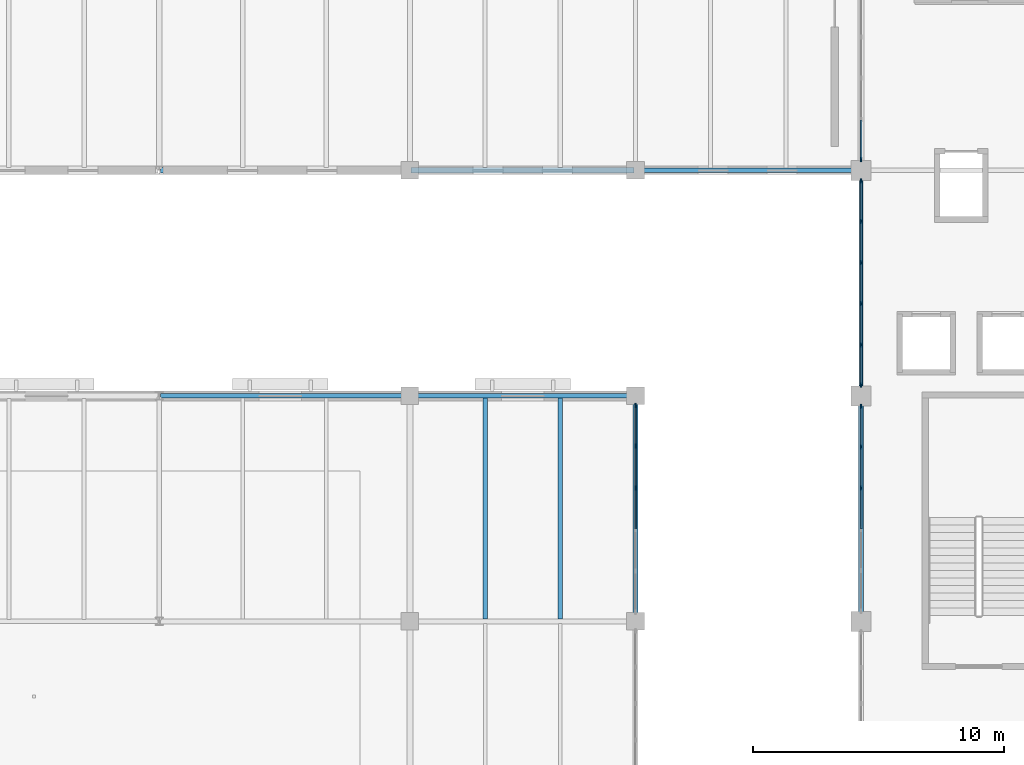
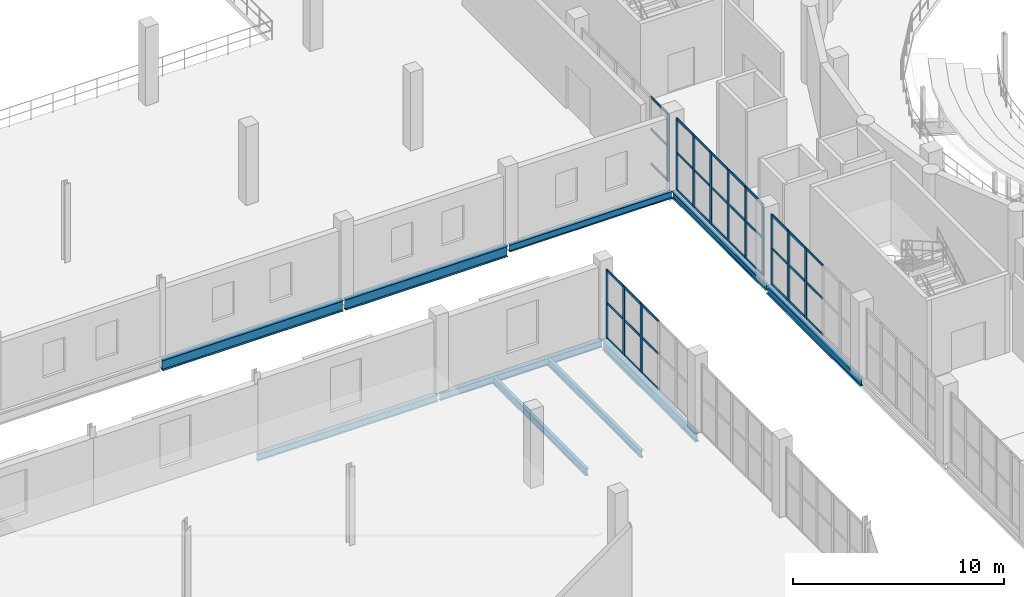
# One storey, part 29 of 93: 49 members, 10 beams, 4 elements without a shape of their own.
"""IFC4 building model written with IfcOpenShell, lengths in metres."""

from ifc_helpers import new_model, si_unit, direction, frame, origin, origin_2d, place, context, subcontext, project, spatial, rectangle, i_section, extrude, material, layer, layer_set, material_profile, profile_set, type_object, element, aggregate, save


model = new_model("IFC4")

# Units and contexts
model_context = context("Model", 3, precision=1e-05, world=origin(), true_north=direction((0.0, 1.0)))
body_context = subcontext(model_context, "Body", "Model", "MODEL_VIEW")
ifc_project = project(units=[si_unit("LENGTHUNIT", "METRE"), si_unit("AREAUNIT", "SQUARE_METRE"), si_unit("VOLUMEUNIT", "CUBIC_METRE"), si_unit("PLANEANGLEUNIT", "RADIAN"), si_unit("MASSUNIT", "GRAM", prefix="KILO")], contexts=[model_context])

# Site, building, storey
site_placement = place(None, origin())
site = spatial("IfcSite", under=ifc_project, at=site_placement, CompositionType="ELEMENT")
building_placement = place(site_placement, origin())
building = spatial("IfcBuilding", under=site, at=building_placement, Name="Marnock Terrace Opera House", CompositionType="ELEMENT")
storey_placement = place(building_placement, frame((0.0, 0.0, 5.39990234375)))
storey = spatial("IfcBuildingStorey", under=building, at=storey_placement, Name="L01", CompositionType="ELEMENT", Elevation=5.39990234375)

# Beams
ifc_material_1 = material(Name="Steel Grade 350 (AS/NZS 3679.1)", Category="steel")
ifc_material_profile_1 = material_profile(ifc_material_1, i_section(OverallWidth=0.1708984375, OverallDepth=0.355712890625, WebThickness=0.00732421875, FlangeThickness=0.011474609375, FilletRadius=0.011474609375, at=origin_2d()))
ifc_profile_set_1 = profile_set([ifc_material_profile_1], Name="Steel Grade 350 (AS/NZS 3679.1)")
beam_type_1 = type_object("IfcBeamType", Name="BM-GIRD-360", PredefinedType="BEAM", material=ifc_profile_set_1)
beam_1_placement = place(storey_placement, frame((55.0, 57.050048828125, -0.457763671875), z_axis=(0.0, 1.0, 0.0), x_axis=(-1.0, 0.0, 0.0)))
element("IfcBeam", 1, at=beam_1_placement, inside=storey, type_object=beam_type_1, Name="L01 girder (X=55.0, 57.0..66.0)", PredefinedType="BEAM", context=body_context, shape_type="SweptSolid", body=[
    extrude(i_section(OverallWidth=0.1708984375, OverallDepth=0.355712890625, WebThickness=0.00732421875, FlangeThickness=0.011474609375, FilletRadius=0.011474609375, at=origin_2d()), origin(), (0.0, 0.0, 1.0), 8.89990234375),
])
ifc_material_profile_2 = material_profile(ifc_material_1, i_section(OverallWidth=0.177978515625, OverallDepth=0.402587890625, WebThickness=0.007568359375, FlangeThickness=0.010986328125, FilletRadius=0.011474609375, at=origin_2d()))
ifc_profile_set_2 = profile_set([ifc_material_profile_2], Name="Steel Grade 350 (AS/NZS 3679.1)")
beam_type_2 = type_object("IfcBeamType", Name="BM-GIRD-410", PredefinedType="BEAM", material=ifc_profile_set_2)
beam_2_placement = place(storey_placement, frame((27.050048828125, 57.0, -0.481201171875), z_axis=(1.0, 0.0, 0.0), x_axis=(0.0, 1.0, 0.0)))
element("IfcBeam", 2, at=beam_2_placement, inside=storey, type_object=beam_type_2, Name="L01 girder (27.0..37.0, Y=57.0)", PredefinedType="BEAM", context=body_context, shape_type="SweptSolid", body=[
    extrude(i_section(OverallWidth=0.177978515625, OverallDepth=0.402587890625, WebThickness=0.007568359375, FlangeThickness=0.010986328125, FilletRadius=0.011474609375, at=origin_2d()), origin(), (0.0, 0.0, 1.0), 9.89990234375),
])
for number, where, z_axis, x_axis, name in (
    (3, (37.050048828125, 57.0, -0.481201171875), (1.0, 0.0, 0.0), (0.0, 1.0, 0.0), "L01 girder (37.0..46.0, Y=57.0)"),
    (4, (46.050048828125, 66.0, -0.481201171875), (1.0, 0.0, 0.0), (0.0, 1.0, 0.0), "L01 girder (46.0..55.0, Y=66.0)"),
):
    element("IfcBeam", number, at=place(storey_placement, frame(where, z_axis=z_axis, x_axis=x_axis)), inside=storey, type_object=beam_type_2, Name=name, PredefinedType="BEAM", context=body_context, shape_type="SweptSolid", body=[
        extrude(i_section(OverallWidth=0.177978515625, OverallDepth=0.402587890625, WebThickness=0.007568359375, FlangeThickness=0.010986328125, FilletRadius=0.011474609375, at=origin_2d()), origin(), (0.0, 0.0, 1.0), 8.89990234375),
    ])
ifc_material_profile_3 = material_profile(ifc_material_1, i_section(OverallWidth=0.18994140625, OverallDepth=0.45751953125, WebThickness=0.009033203125, FlangeThickness=0.014404296875, FilletRadius=0.011474609375, at=origin_2d()))
ifc_profile_set_3 = profile_set([ifc_material_profile_3], Name="Steel Grade 350 (AS/NZS 3679.1)")
beam_type_3 = type_object("IfcBeamType", Name="BM-GIRD-460B", PredefinedType="BEAM", material=ifc_profile_set_3)
beam_3_placement = place(storey_placement, frame((55.0, 48.050048828125, -0.508544921875), z_axis=(0.0, 1.0, 0.0), x_axis=(-1.0, 0.0, 0.0)))
element("IfcBeam", 5, at=beam_3_placement, inside=storey, type_object=beam_type_3, Name="L01 girder (X=55.0, 48.0..57.0)", PredefinedType="BEAM", context=body_context, shape_type="SweptSolid", body=[
    extrude(i_section(OverallWidth=0.18994140625, OverallDepth=0.45751953125, WebThickness=0.009033203125, FlangeThickness=0.014404296875, FilletRadius=0.011474609375, at=origin_2d()), origin(), (0.0, 0.0, 1.0), 8.89990234375),
])
ifc_material_profile_4 = material_profile(ifc_material_1, i_section(OverallWidth=0.208984375, OverallDepth=0.528076171875, WebThickness=0.009521484375, FlangeThickness=0.01318359375, FilletRadius=0.013916015625, at=origin_2d()))
ifc_profile_set_4 = profile_set([ifc_material_profile_4], Name="Steel Grade 350 (AS/NZS 3679.1)")
beam_type_4 = type_object("IfcBeamType", Name="BM-GIRD-530B", PredefinedType="BEAM", material=ifc_profile_set_4)
beam_4_placement = place(storey_placement, frame((46.0, 48.050048828125, -0.5439453125), z_axis=(0.0, 1.0, 0.0), x_axis=(-1.0, 0.0, 0.0)))
element("IfcBeam", 6, at=beam_4_placement, inside=storey, type_object=beam_type_4, Name="L01 girder (X=46.0, 48.0..57.0)", PredefinedType="BEAM", context=body_context, shape_type="SweptSolid", body=[
    extrude(i_section(OverallWidth=0.208984375, OverallDepth=0.528076171875, WebThickness=0.009521484375, FlangeThickness=0.01318359375, FilletRadius=0.013916015625, at=origin_2d()), origin(), (0.0, 0.0, 1.0), 8.89990234375),
])
ifc_material_profile_5 = material_profile(ifc_material_1, i_section(OverallWidth=0.22900390625, OverallDepth=0.611572265625, WebThickness=0.011962890625, FlangeThickness=0.01953125, FilletRadius=0.013916015625, at=origin_2d()))
ifc_profile_set_5 = profile_set([ifc_material_profile_5], Name="Steel Grade 350 (AS/NZS 3679.1)")
beam_type_5 = type_object("IfcBeamType", Name="BM-GIRD-610A", PredefinedType="BEAM", material=ifc_profile_set_5)
beam_5_placement = place(storey_placement, frame((27.050048828125, 66.0, -0.585693359375), z_axis=(1.0, 0.0, 0.0), x_axis=(0.0, 1.0, 0.0)))
element("IfcBeam", 7, at=beam_5_placement, inside=storey, type_object=beam_type_5, Name="L01 girder (27.0..37.0, Y=66.0)", PredefinedType="BEAM", context=body_context, shape_type="SweptSolid", body=[
    extrude(i_section(OverallWidth=0.22900390625, OverallDepth=0.611572265625, WebThickness=0.011962890625, FlangeThickness=0.01953125, FilletRadius=0.013916015625, at=origin_2d()), origin(), (0.0, 0.0, 1.0), 9.89990234375),
])
beam_6_placement = place(storey_placement, frame((37.050048828125, 66.0, -0.585693359375), z_axis=(1.0, 0.0, 0.0), x_axis=(0.0, 1.0, 0.0)))
element("IfcBeam", 8, at=beam_6_placement, inside=storey, type_object=beam_type_5, Name="L01 girder (37.0..46.0, Y=66.0)", PredefinedType="BEAM", context=body_context, shape_type="SweptSolid", body=[
    extrude(i_section(OverallWidth=0.22900390625, OverallDepth=0.611572265625, WebThickness=0.011962890625, FlangeThickness=0.01953125, FilletRadius=0.013916015625, at=origin_2d()), origin(), (0.0, 0.0, 1.0), 8.89990234375),
])
ifc_material_profile_6 = material_profile(ifc_material_1, i_section(OverallWidth=0.177978515625, OverallDepth=0.406494140625, WebThickness=0.0078125, FlangeThickness=0.0126953125, FilletRadius=0.011474609375, at=origin_2d()))
ifc_profile_set_6 = profile_set([ifc_material_profile_6], Name="Steel Grade 350 (AS/NZS 3679.1)")
beam_type_6 = type_object("IfcBeamType", Name="BM-JOIST-410", PredefinedType="JOIST", material=ifc_profile_set_6)
for number, where, z_axis, x_axis, name in (
    (9, (40.0, 48.090576171875, -0.483154296875), (0.0, 1.0, 0.0), (-1.0, 0.0, 0.0), "L01 secondary joist 4.6.1"),
    (10, (43.0, 48.090576171875, -0.483154296875), (0.0, 1.0, 0.0), (-1.0, 0.0, 0.0), "L01 secondary joist 4.6.2"),
):
    element("IfcBeam", number, at=place(storey_placement, frame(where, z_axis=z_axis, x_axis=x_axis)), inside=storey, type_object=beam_type_6, Name=name, PredefinedType="JOIST", context=body_context, shape_type="SweptSolid", body=[
        extrude(i_section(OverallWidth=0.177978515625, OverallDepth=0.406494140625, WebThickness=0.0078125, FlangeThickness=0.0126953125, FilletRadius=0.011474609375, at=origin_2d()), origin(), (0.0, 0.0, 1.0), 8.825439453125),
    ])

# Curtain wall, members
ifc_material_2 = material(Name="Anodised architectural bronze aluminium framing", Category="aluminium")
ifc_layer_1 = layer(ifc_material_2, 0.159912109375)
ifc_layer_set_1 = layer_set([ifc_layer_1], Name="Anodised architectural bronze aluminium framing")
curtain_wall_type_1 = type_object("IfcCurtainWallType", Name="CW-FOYER-90x45", PredefinedType="NOTDEFINED", material=ifc_layer_set_1)
curtain_wall_1_placement = place(storey_placement, origin())
curtain_wall_1 = element("IfcCurtainWall", 11, at=curtain_wall_1_placement, inside=storey, type_object=curtain_wall_type_1, Name="L01 glazed Beaux-Arts colonnade curtain wall CW-V1W-L01-06", PredefinedType="NOTDEFINED")
ifc_material_profile_7 = material_profile(ifc_material_2, rectangle(XDim=0.06494140625, YDim=0.179931640625, at=origin_2d()))
ifc_profile_set_7 = profile_set([ifc_material_profile_7], Name="Anodised architectural bronze aluminium framing")
member_type_1 = type_object("IfcMemberType", Name="CWM-65x180", PredefinedType="MULLION", material=ifc_profile_set_7)
member_1_placement = place(storey_placement, frame((55.0, 53.32080078125, 0.0), z_axis=(0.0, 0.0, 1.0), x_axis=(-1.0, 0.0, 0.0)))
member_1 = element("IfcMember", 12, at=member_1_placement, type_object=member_type_1, Name="CW-27 mullion 4", PredefinedType="MULLION", context=body_context, shape_type="SweptSolid", body=[
    extrude(rectangle(XDim=0.06494140625, YDim=0.179931640625, at=origin_2d()), origin(), (0.0, 0.0, 1.0), 4.052734375),
])
member_2_placement = place(storey_placement, frame((55.0, 54.96240234375, 0.0), z_axis=(0.0, 0.0, 1.0), x_axis=(-1.0, 0.0, 0.0)))
member_2 = element("IfcMember", 13, at=member_2_placement, type_object=member_type_1, Name="CW-27 mullion 5", PredefinedType="MULLION", context=body_context, shape_type="SweptSolid", body=[
    extrude(rectangle(XDim=0.06494140625, YDim=0.179931640625, at=origin_2d()), origin(), (0.0, 0.0, 1.0), 4.052734375),
])
member_3_placement = place(storey_placement, frame((55.0, 56.573974609375, 0.0), z_axis=(0.0, 0.0, 1.0), x_axis=(-1.0, 0.0, 0.0)))
member_3 = element("IfcMember", 14, at=member_3_placement, type_object=member_type_1, Name="CW-27 mullion 6", PredefinedType="MULLION", context=body_context, shape_type="SweptSolid", body=[
    extrude(rectangle(XDim=0.06494140625, YDim=0.179931640625, at=origin_2d()), origin(), (0.0, 0.0, 1.0), 4.052734375),
])

curtain_wall_2_placement = place(storey_placement, origin())
curtain_wall_2 = element("IfcCurtainWall", 15, at=curtain_wall_2_placement, inside=storey, type_object=curtain_wall_type_1, Name="L01 glazed Beaux-Arts colonnade curtain wall CW-V1W-L01-07", PredefinedType="NOTDEFINED")
member_4_placement = place(storey_placement, frame((55.0, 57.426025390625, 0.0), z_axis=(0.0, 0.0, 1.0), x_axis=(-1.0, 0.0, 0.0)))
member_4 = element("IfcMember", 16, at=member_4_placement, type_object=member_type_1, Name="CW-27 mullion 1", PredefinedType="MULLION", context=body_context, shape_type="SweptSolid", body=[
    extrude(rectangle(XDim=0.06494140625, YDim=0.179931640625, at=origin_2d()), origin(), (0.0, 0.0, 1.0), 4.154541015625),
])
member_5_placement = place(storey_placement, frame((55.0, 59.03759765625, 0.0), z_axis=(0.0, 0.0, 1.0), x_axis=(-1.0, 0.0, 0.0)))
member_5 = element("IfcMember", 17, at=member_5_placement, type_object=member_type_1, Name="CW-27 mullion 2", PredefinedType="MULLION", context=body_context, shape_type="SweptSolid", body=[
    extrude(rectangle(XDim=0.06494140625, YDim=0.179931640625, at=origin_2d()), origin(), (0.0, 0.0, 1.0), 4.154541015625),
])
member_6_placement = place(storey_placement, frame((55.0, 60.67919921875, 0.0), z_axis=(0.0, 0.0, 1.0), x_axis=(-1.0, 0.0, 0.0)))
member_6 = element("IfcMember", 18, at=member_6_placement, type_object=member_type_1, Name="CW-27 mullion 3", PredefinedType="MULLION", context=body_context, shape_type="SweptSolid", body=[
    extrude(rectangle(XDim=0.06494140625, YDim=0.179931640625, at=origin_2d()), origin(), (0.0, 0.0, 1.0), 4.154541015625),
])
member_7_placement = place(storey_placement, frame((55.0, 62.32080078125, 0.0), z_axis=(0.0, 0.0, 1.0), x_axis=(-1.0, 0.0, 0.0)))
member_7 = element("IfcMember", 19, at=member_7_placement, type_object=member_type_1, Name="CW-27 mullion 4", PredefinedType="MULLION", context=body_context, shape_type="SweptSolid", body=[
    extrude(rectangle(XDim=0.06494140625, YDim=0.179931640625, at=origin_2d()), origin(), (0.0, 0.0, 1.0), 4.154541015625),
])
member_8_placement = place(storey_placement, frame((55.0, 63.96240234375, 0.0), z_axis=(0.0, 0.0, 1.0), x_axis=(-1.0, 0.0, 0.0)))
member_8 = element("IfcMember", 20, at=member_8_placement, type_object=member_type_1, Name="CW-27 mullion 5", PredefinedType="MULLION", context=body_context, shape_type="SweptSolid", body=[
    extrude(rectangle(XDim=0.06494140625, YDim=0.179931640625, at=origin_2d()), origin(), (0.0, 0.0, 1.0), 4.154541015625),
])
member_9_placement = place(storey_placement, frame((55.0, 65.573974609375, 0.0), z_axis=(0.0, 0.0, 1.0), x_axis=(-1.0, 0.0, 0.0)))
member_9 = element("IfcMember", 21, at=member_9_placement, type_object=member_type_1, Name="CW-27 mullion 6", PredefinedType="MULLION", context=body_context, shape_type="SweptSolid", body=[
    extrude(rectangle(XDim=0.06494140625, YDim=0.179931640625, at=origin_2d()), origin(), (0.0, 0.0, 1.0), 4.154541015625),
])

# Curtain wall, member
curtain_wall_3_placement = place(storey_placement, origin())
curtain_wall_3 = element("IfcCurtainWall", 22, at=curtain_wall_3_placement, inside=storey, type_object=curtain_wall_type_1, Name="L01 glazed Beaux-Arts colonnade curtain wall CW-V1W-L01-08", PredefinedType="NOTDEFINED")
member_10_placement = place(storey_placement, frame((55.0, 66.426025390625, 0.0), z_axis=(0.0, 0.0, 1.0), x_axis=(-1.0, 0.0, 0.0)))
member_10 = element("IfcMember", 23, at=member_10_placement, type_object=member_type_1, Name="CW-27 mullion 1", PredefinedType="MULLION", context=body_context, shape_type="SweptSolid", body=[
    extrude(rectangle(XDim=0.06494140625, YDim=0.179931640625, at=origin_2d()), origin(), (0.0, 0.0, 1.0), 3.908203125),
])

# Curtain wall, members
ifc_layer_2 = layer(ifc_material_2, 0.159912109375)
ifc_layer_set_2 = layer_set([ifc_layer_2], Name="Anodised architectural bronze aluminium framing")
curtain_wall_type_2 = type_object("IfcCurtainWallType", Name="CW-COURT-80x45", PredefinedType="NOTDEFINED", material=ifc_layer_set_2)
curtain_wall_4_placement = place(storey_placement, origin())
curtain_wall_4 = element("IfcCurtainWall", 24, at=curtain_wall_4_placement, inside=storey, type_object=curtain_wall_type_2, Name="L01 glazed Beaux-Arts colonnade curtain wall CW-V3E-L01-06", PredefinedType="NOTDEFINED")
member_11_placement = place(storey_placement, frame((46.0, 53.330810546875, 0.0), z_axis=(0.0, 0.0, 1.0), x_axis=(-1.0, 0.0, 0.0)))
member_11 = element("IfcMember", 25, at=member_11_placement, type_object=member_type_1, Name="CW-67 mullion 4", PredefinedType="MULLION", context=body_context, shape_type="SweptSolid", body=[
    extrude(rectangle(XDim=0.06494140625, YDim=0.179931640625, at=origin_2d()), origin(), (0.0, 0.0, 1.0), 3.982177734375),
])
member_12_placement = place(storey_placement, frame((46.0, 54.992431640625, 0.0), z_axis=(0.0, 0.0, 1.0), x_axis=(-1.0, 0.0, 0.0)))
member_12 = element("IfcMember", 26, at=member_12_placement, type_object=member_type_1, Name="CW-67 mullion 5", PredefinedType="MULLION", context=body_context, shape_type="SweptSolid", body=[
    extrude(rectangle(XDim=0.06494140625, YDim=0.179931640625, at=origin_2d()), origin(), (0.0, 0.0, 1.0), 3.982177734375),
])
member_13_placement = place(storey_placement, frame((46.0, 56.6240234375, 0.0), z_axis=(0.0, 0.0, 1.0), x_axis=(-1.0, 0.0, 0.0)))
member_13 = element("IfcMember", 27, at=member_13_placement, type_object=member_type_1, Name="CW-67 mullion 6", PredefinedType="MULLION", context=body_context, shape_type="SweptSolid", body=[
    extrude(rectangle(XDim=0.06494140625, YDim=0.179931640625, at=origin_2d()), origin(), (0.0, 0.0, 1.0), 3.982177734375),
])

# Member
ifc_material_profile_8 = material_profile(ifc_material_2, rectangle(XDim=0.06005859375, YDim=0.1298828125, at=origin_2d()))
ifc_profile_set_8 = profile_set([ifc_material_profile_8], Name="Anodised architectural bronze aluminium framing")
member_type_2 = type_object("IfcMemberType", Name="CWT-60x130", PredefinedType="USERDEFINED", material=ifc_profile_set_8)
member_14_placement = place(storey_placement, frame((55.0, 51.709228515625, 0.030029296875), z_axis=(0.0, 1.0, 0.0), x_axis=(-1.0, 0.0, 0.0)))
member_14 = element("IfcMember", 28, at=member_14_placement, type_object=member_type_2, Name="CW-27 transom 3.1", ObjectType="TRANSOM", PredefinedType="USERDEFINED", context=body_context, shape_type="SweptSolid", body=[
    extrude(rectangle(XDim=0.06005859375, YDim=0.1298828125, at=origin_2d()), origin(), (0.0, 0.0, 1.0), 1.58154296875),
])

member_15_placement = place(storey_placement, frame((55.0, 51.709228515625, 2.107421875), z_axis=(0.0, 1.0, 0.0), x_axis=(-1.0, 0.0, 0.0)))
member_15 = element("IfcMember", 29, at=member_15_placement, type_object=member_type_2, Name="CW-27 transom 3.2", ObjectType="TRANSOM", PredefinedType="USERDEFINED", context=body_context, shape_type="SweptSolid", body=[
    extrude(rectangle(XDim=0.06005859375, YDim=0.1298828125, at=origin_2d()), origin(), (0.0, 0.0, 1.0), 1.58154296875),
])

member_16_placement = place(storey_placement, frame((55.0, 51.709228515625, 4.022705078125), z_axis=(0.0, 1.0, 0.0), x_axis=(-1.0, 0.0, 0.0)))
member_16 = element("IfcMember", 30, at=member_16_placement, type_object=member_type_2, Name="CW-27 transom 3.3", ObjectType="TRANSOM", PredefinedType="USERDEFINED", context=body_context, shape_type="SweptSolid", body=[
    extrude(rectangle(XDim=0.06005859375, YDim=0.1298828125, at=origin_2d()), origin(), (0.0, 0.0, 1.0), 1.58154296875),
])

member_17_placement = place(storey_placement, frame((55.0, 53.350830078125, 0.030029296875), z_axis=(0.0, 1.0, 0.0), x_axis=(-1.0, 0.0, 0.0)))
member_17 = element("IfcMember", 31, at=member_17_placement, type_object=member_type_2, Name="CW-27 transom 4.1", ObjectType="TRANSOM", PredefinedType="USERDEFINED", context=body_context, shape_type="SweptSolid", body=[
    extrude(rectangle(XDim=0.06005859375, YDim=0.1298828125, at=origin_2d()), origin(), (0.0, 0.0, 1.0), 1.58154296875),
])

member_18_placement = place(storey_placement, frame((55.0, 53.350830078125, 2.107421875), z_axis=(0.0, 1.0, 0.0), x_axis=(-1.0, 0.0, 0.0)))
member_18 = element("IfcMember", 32, at=member_18_placement, type_object=member_type_2, Name="CW-27 transom 4.2", ObjectType="TRANSOM", PredefinedType="USERDEFINED", context=body_context, shape_type="SweptSolid", body=[
    extrude(rectangle(XDim=0.06005859375, YDim=0.1298828125, at=origin_2d()), origin(), (0.0, 0.0, 1.0), 1.58154296875),
])

member_19_placement = place(storey_placement, frame((55.0, 53.350830078125, 4.022705078125), z_axis=(0.0, 1.0, 0.0), x_axis=(-1.0, 0.0, 0.0)))
member_19 = element("IfcMember", 33, at=member_19_placement, type_object=member_type_2, Name="CW-27 transom 4.3", ObjectType="TRANSOM", PredefinedType="USERDEFINED", context=body_context, shape_type="SweptSolid", body=[
    extrude(rectangle(XDim=0.06005859375, YDim=0.1298828125, at=origin_2d()), origin(), (0.0, 0.0, 1.0), 1.58154296875),
])

member_20_placement = place(storey_placement, frame((55.0, 54.992431640625, 0.030029296875), z_axis=(0.0, 1.0, 0.0), x_axis=(-1.0, 0.0, 0.0)))
member_20 = element("IfcMember", 34, at=member_20_placement, type_object=member_type_2, Name="CW-27 transom 5.1", ObjectType="TRANSOM", PredefinedType="USERDEFINED", context=body_context, shape_type="SweptSolid", body=[
    extrude(rectangle(XDim=0.06005859375, YDim=0.1298828125, at=origin_2d()), origin(), (0.0, 0.0, 1.0), 1.551513671875),
])

member_21_placement = place(storey_placement, frame((55.0, 54.992431640625, 2.107421875), z_axis=(0.0, 1.0, 0.0), x_axis=(-1.0, 0.0, 0.0)))
member_21 = element("IfcMember", 35, at=member_21_placement, type_object=member_type_2, Name="CW-27 transom 5.2", ObjectType="TRANSOM", PredefinedType="USERDEFINED", context=body_context, shape_type="SweptSolid", body=[
    extrude(rectangle(XDim=0.06005859375, YDim=0.1298828125, at=origin_2d()), origin(), (0.0, 0.0, 1.0), 1.551513671875),
])

member_22_placement = place(storey_placement, frame((55.0, 54.992431640625, 4.022705078125), z_axis=(0.0, 1.0, 0.0), x_axis=(-1.0, 0.0, 0.0)))
member_22 = element("IfcMember", 36, at=member_22_placement, type_object=member_type_2, Name="CW-27 transom 5.3", ObjectType="TRANSOM", PredefinedType="USERDEFINED", context=body_context, shape_type="SweptSolid", body=[
    extrude(rectangle(XDim=0.06005859375, YDim=0.1298828125, at=origin_2d()), origin(), (0.0, 0.0, 1.0), 1.551513671875),
])

aggregate(curtain_wall_1, [member_1, member_2, member_3, member_14, member_15, member_16, member_17, member_18, member_19, member_20, member_21, member_22])

member_23_placement = place(storey_placement, frame((55.0, 57.4560546875, 0.030029296875), z_axis=(0.0, 1.0, 0.0), x_axis=(-1.0, 0.0, 0.0)))
member_23 = element("IfcMember", 37, at=member_23_placement, type_object=member_type_2, Name="CW-27 transom 1.1", ObjectType="TRANSOM", PredefinedType="USERDEFINED", context=body_context, shape_type="SweptSolid", body=[
    extrude(rectangle(XDim=0.06005859375, YDim=0.1298828125, at=origin_2d()), origin(), (0.0, 0.0, 1.0), 1.551513671875),
])

member_24_placement = place(storey_placement, frame((55.0, 57.4560546875, 2.160400390625), z_axis=(0.0, 1.0, 0.0), x_axis=(-1.0, 0.0, 0.0)))
member_24 = element("IfcMember", 38, at=member_24_placement, type_object=member_type_2, Name="CW-27 transom 1.2", ObjectType="TRANSOM", PredefinedType="USERDEFINED", context=body_context, shape_type="SweptSolid", body=[
    extrude(rectangle(XDim=0.06005859375, YDim=0.1298828125, at=origin_2d()), origin(), (0.0, 0.0, 1.0), 1.551513671875),
])

member_25_placement = place(storey_placement, frame((55.0, 57.4560546875, 4.12451171875), z_axis=(0.0, 1.0, 0.0), x_axis=(-1.0, 0.0, 0.0)))
member_25 = element("IfcMember", 39, at=member_25_placement, type_object=member_type_2, Name="CW-27 transom 1.3", ObjectType="TRANSOM", PredefinedType="USERDEFINED", context=body_context, shape_type="SweptSolid", body=[
    extrude(rectangle(XDim=0.06005859375, YDim=0.1298828125, at=origin_2d()), origin(), (0.0, 0.0, 1.0), 1.551513671875),
])

member_26_placement = place(storey_placement, frame((55.0, 59.067626953125, 0.030029296875), z_axis=(0.0, 1.0, 0.0), x_axis=(-1.0, 0.0, 0.0)))
member_26 = element("IfcMember", 40, at=member_26_placement, type_object=member_type_2, Name="CW-27 transom 2.1", ObjectType="TRANSOM", PredefinedType="USERDEFINED", context=body_context, shape_type="SweptSolid", body=[
    extrude(rectangle(XDim=0.06005859375, YDim=0.1298828125, at=origin_2d()), origin(), (0.0, 0.0, 1.0), 1.58154296875),
])

member_27_placement = place(storey_placement, frame((55.0, 59.067626953125, 2.160400390625), z_axis=(0.0, 1.0, 0.0), x_axis=(-1.0, 0.0, 0.0)))
member_27 = element("IfcMember", 41, at=member_27_placement, type_object=member_type_2, Name="CW-27 transom 2.2", ObjectType="TRANSOM", PredefinedType="USERDEFINED", context=body_context, shape_type="SweptSolid", body=[
    extrude(rectangle(XDim=0.06005859375, YDim=0.1298828125, at=origin_2d()), origin(), (0.0, 0.0, 1.0), 1.58154296875),
])

member_28_placement = place(storey_placement, frame((55.0, 59.067626953125, 4.12451171875), z_axis=(0.0, 1.0, 0.0), x_axis=(-1.0, 0.0, 0.0)))
member_28 = element("IfcMember", 42, at=member_28_placement, type_object=member_type_2, Name="CW-27 transom 2.3", ObjectType="TRANSOM", PredefinedType="USERDEFINED", context=body_context, shape_type="SweptSolid", body=[
    extrude(rectangle(XDim=0.06005859375, YDim=0.1298828125, at=origin_2d()), origin(), (0.0, 0.0, 1.0), 1.58154296875),
])

member_29_placement = place(storey_placement, frame((55.0, 60.709228515625, 0.030029296875), z_axis=(0.0, 1.0, 0.0), x_axis=(-1.0, 0.0, 0.0)))
member_29 = element("IfcMember", 43, at=member_29_placement, type_object=member_type_2, Name="CW-27 transom 3.1", ObjectType="TRANSOM", PredefinedType="USERDEFINED", context=body_context, shape_type="SweptSolid", body=[
    extrude(rectangle(XDim=0.06005859375, YDim=0.1298828125, at=origin_2d()), origin(), (0.0, 0.0, 1.0), 1.58154296875),
])

member_30_placement = place(storey_placement, frame((55.0, 60.709228515625, 2.160400390625), z_axis=(0.0, 1.0, 0.0), x_axis=(-1.0, 0.0, 0.0)))
member_30 = element("IfcMember", 44, at=member_30_placement, type_object=member_type_2, Name="CW-27 transom 3.2", ObjectType="TRANSOM", PredefinedType="USERDEFINED", context=body_context, shape_type="SweptSolid", body=[
    extrude(rectangle(XDim=0.06005859375, YDim=0.1298828125, at=origin_2d()), origin(), (0.0, 0.0, 1.0), 1.58154296875),
])

member_31_placement = place(storey_placement, frame((55.0, 60.709228515625, 4.12451171875), z_axis=(0.0, 1.0, 0.0), x_axis=(-1.0, 0.0, 0.0)))
member_31 = element("IfcMember", 45, at=member_31_placement, type_object=member_type_2, Name="CW-27 transom 3.3", ObjectType="TRANSOM", PredefinedType="USERDEFINED", context=body_context, shape_type="SweptSolid", body=[
    extrude(rectangle(XDim=0.06005859375, YDim=0.1298828125, at=origin_2d()), origin(), (0.0, 0.0, 1.0), 1.58154296875),
])

member_32_placement = place(storey_placement, frame((55.0, 62.350830078125, 0.030029296875), z_axis=(0.0, 1.0, 0.0), x_axis=(-1.0, 0.0, 0.0)))
member_32 = element("IfcMember", 46, at=member_32_placement, type_object=member_type_2, Name="CW-27 transom 4.1", ObjectType="TRANSOM", PredefinedType="USERDEFINED", context=body_context, shape_type="SweptSolid", body=[
    extrude(rectangle(XDim=0.06005859375, YDim=0.1298828125, at=origin_2d()), origin(), (0.0, 0.0, 1.0), 1.58154296875),
])

member_33_placement = place(storey_placement, frame((55.0, 62.350830078125, 2.160400390625), z_axis=(0.0, 1.0, 0.0), x_axis=(-1.0, 0.0, 0.0)))
member_33 = element("IfcMember", 47, at=member_33_placement, type_object=member_type_2, Name="CW-27 transom 4.2", ObjectType="TRANSOM", PredefinedType="USERDEFINED", context=body_context, shape_type="SweptSolid", body=[
    extrude(rectangle(XDim=0.06005859375, YDim=0.1298828125, at=origin_2d()), origin(), (0.0, 0.0, 1.0), 1.58154296875),
])

member_34_placement = place(storey_placement, frame((55.0, 62.350830078125, 4.12451171875), z_axis=(0.0, 1.0, 0.0), x_axis=(-1.0, 0.0, 0.0)))
member_34 = element("IfcMember", 48, at=member_34_placement, type_object=member_type_2, Name="CW-27 transom 4.3", ObjectType="TRANSOM", PredefinedType="USERDEFINED", context=body_context, shape_type="SweptSolid", body=[
    extrude(rectangle(XDim=0.06005859375, YDim=0.1298828125, at=origin_2d()), origin(), (0.0, 0.0, 1.0), 1.58154296875),
])

member_35_placement = place(storey_placement, frame((55.0, 63.992431640625, 0.030029296875), z_axis=(0.0, 1.0, 0.0), x_axis=(-1.0, 0.0, 0.0)))
member_35 = element("IfcMember", 49, at=member_35_placement, type_object=member_type_2, Name="CW-27 transom 5.1", ObjectType="TRANSOM", PredefinedType="USERDEFINED", context=body_context, shape_type="SweptSolid", body=[
    extrude(rectangle(XDim=0.06005859375, YDim=0.1298828125, at=origin_2d()), origin(), (0.0, 0.0, 1.0), 1.551513671875),
])

member_36_placement = place(storey_placement, frame((55.0, 63.992431640625, 2.160400390625), z_axis=(0.0, 1.0, 0.0), x_axis=(-1.0, 0.0, 0.0)))
member_36 = element("IfcMember", 50, at=member_36_placement, type_object=member_type_2, Name="CW-27 transom 5.2", ObjectType="TRANSOM", PredefinedType="USERDEFINED", context=body_context, shape_type="SweptSolid", body=[
    extrude(rectangle(XDim=0.06005859375, YDim=0.1298828125, at=origin_2d()), origin(), (0.0, 0.0, 1.0), 1.551513671875),
])

member_37_placement = place(storey_placement, frame((55.0, 63.992431640625, 4.12451171875), z_axis=(0.0, 1.0, 0.0), x_axis=(-1.0, 0.0, 0.0)))
member_37 = element("IfcMember", 51, at=member_37_placement, type_object=member_type_2, Name="CW-27 transom 5.3", ObjectType="TRANSOM", PredefinedType="USERDEFINED", context=body_context, shape_type="SweptSolid", body=[
    extrude(rectangle(XDim=0.06005859375, YDim=0.1298828125, at=origin_2d()), origin(), (0.0, 0.0, 1.0), 1.551513671875),
])

aggregate(curtain_wall_2, [member_4, member_5, member_6, member_7, member_8, member_9, member_23, member_24, member_25, member_26, member_27, member_28, member_29, member_30, member_31, member_32, member_33, member_34, member_35, member_36, member_37])

member_38_placement = place(storey_placement, frame((55.0, 66.4560546875, 0.030029296875), z_axis=(0.0, 1.0, 0.0), x_axis=(-1.0, 0.0, 0.0)))
member_38 = element("IfcMember", 52, at=member_38_placement, type_object=member_type_2, Name="CW-27 transom 1.1", ObjectType="TRANSOM", PredefinedType="USERDEFINED", context=body_context, shape_type="SweptSolid", body=[
    extrude(rectangle(XDim=0.06005859375, YDim=0.1298828125, at=origin_2d()), origin(), (0.0, 0.0, 1.0), 1.551513671875),
])

member_39_placement = place(storey_placement, frame((55.0, 66.4560546875, 2.0322265625), z_axis=(0.0, 1.0, 0.0), x_axis=(-1.0, 0.0, 0.0)))
member_39 = element("IfcMember", 53, at=member_39_placement, type_object=member_type_2, Name="CW-27 transom 1.2", ObjectType="TRANSOM", PredefinedType="USERDEFINED", context=body_context, shape_type="SweptSolid", body=[
    extrude(rectangle(XDim=0.06005859375, YDim=0.1298828125, at=origin_2d()), origin(), (0.0, 0.0, 1.0), 1.551513671875),
])

member_40_placement = place(storey_placement, frame((55.0, 66.4560546875, 3.878173828125), z_axis=(0.0, 1.0, 0.0), x_axis=(-1.0, 0.0, 0.0)))
member_40 = element("IfcMember", 54, at=member_40_placement, type_object=member_type_2, Name="CW-27 transom 1.3", ObjectType="TRANSOM", PredefinedType="USERDEFINED", context=body_context, shape_type="SweptSolid", body=[
    extrude(rectangle(XDim=0.06005859375, YDim=0.1298828125, at=origin_2d()), origin(), (0.0, 0.0, 1.0), 1.551513671875),
])

aggregate(curtain_wall_3, [member_10, member_38, member_39, member_40])

member_41_placement = place(storey_placement, frame((46.0, 51.69921875, 0.030029296875), z_axis=(0.0, 1.0, 0.0), x_axis=(-1.0, 0.0, 0.0)))
member_41 = element("IfcMember", 55, at=member_41_placement, type_object=member_type_2, Name="CW-67 transom 3.1", ObjectType="TRANSOM", PredefinedType="USERDEFINED", context=body_context, shape_type="SweptSolid", body=[
    extrude(rectangle(XDim=0.06005859375, YDim=0.1298828125, at=origin_2d()), origin(), (0.0, 0.0, 1.0), 1.6015625),
])

member_42_placement = place(storey_placement, frame((46.0, 51.69921875, 2.07080078125), z_axis=(0.0, 1.0, 0.0), x_axis=(-1.0, 0.0, 0.0)))
member_42 = element("IfcMember", 56, at=member_42_placement, type_object=member_type_2, Name="CW-67 transom 3.2", ObjectType="TRANSOM", PredefinedType="USERDEFINED", context=body_context, shape_type="SweptSolid", body=[
    extrude(rectangle(XDim=0.06005859375, YDim=0.1298828125, at=origin_2d()), origin(), (0.0, 0.0, 1.0), 1.6015625),
])

member_43_placement = place(storey_placement, frame((46.0, 51.69921875, 3.9521484375), z_axis=(0.0, 1.0, 0.0), x_axis=(-1.0, 0.0, 0.0)))
member_43 = element("IfcMember", 57, at=member_43_placement, type_object=member_type_2, Name="CW-67 transom 3.3", ObjectType="TRANSOM", PredefinedType="USERDEFINED", context=body_context, shape_type="SweptSolid", body=[
    extrude(rectangle(XDim=0.06005859375, YDim=0.1298828125, at=origin_2d()), origin(), (0.0, 0.0, 1.0), 1.6015625),
])

member_44_placement = place(storey_placement, frame((46.0, 53.36083984375, 0.030029296875), z_axis=(0.0, 1.0, 0.0), x_axis=(-1.0, 0.0, 0.0)))
member_44 = element("IfcMember", 58, at=member_44_placement, type_object=member_type_2, Name="CW-67 transom 4.1", ObjectType="TRANSOM", PredefinedType="USERDEFINED", context=body_context, shape_type="SweptSolid", body=[
    extrude(rectangle(XDim=0.06005859375, YDim=0.1298828125, at=origin_2d()), origin(), (0.0, 0.0, 1.0), 1.6015625),
])

member_45_placement = place(storey_placement, frame((46.0, 53.36083984375, 2.07080078125), z_axis=(0.0, 1.0, 0.0), x_axis=(-1.0, 0.0, 0.0)))
member_45 = element("IfcMember", 59, at=member_45_placement, type_object=member_type_2, Name="CW-67 transom 4.2", ObjectType="TRANSOM", PredefinedType="USERDEFINED", context=body_context, shape_type="SweptSolid", body=[
    extrude(rectangle(XDim=0.06005859375, YDim=0.1298828125, at=origin_2d()), origin(), (0.0, 0.0, 1.0), 1.6015625),
])

member_46_placement = place(storey_placement, frame((46.0, 53.36083984375, 3.9521484375), z_axis=(0.0, 1.0, 0.0), x_axis=(-1.0, 0.0, 0.0)))
member_46 = element("IfcMember", 60, at=member_46_placement, type_object=member_type_2, Name="CW-67 transom 4.3", ObjectType="TRANSOM", PredefinedType="USERDEFINED", context=body_context, shape_type="SweptSolid", body=[
    extrude(rectangle(XDim=0.06005859375, YDim=0.1298828125, at=origin_2d()), origin(), (0.0, 0.0, 1.0), 1.6015625),
])

member_47_placement = place(storey_placement, frame((46.0, 55.0224609375, 0.030029296875), z_axis=(0.0, 1.0, 0.0), x_axis=(-1.0, 0.0, 0.0)))
member_47 = element("IfcMember", 61, at=member_47_placement, type_object=member_type_2, Name="CW-67 transom 5.1", ObjectType="TRANSOM", PredefinedType="USERDEFINED", context=body_context, shape_type="SweptSolid", body=[
    extrude(rectangle(XDim=0.06005859375, YDim=0.1298828125, at=origin_2d()), origin(), (0.0, 0.0, 1.0), 1.571533203125),
])

member_48_placement = place(storey_placement, frame((46.0, 55.0224609375, 2.07080078125), z_axis=(0.0, 1.0, 0.0), x_axis=(-1.0, 0.0, 0.0)))
member_48 = element("IfcMember", 62, at=member_48_placement, type_object=member_type_2, Name="CW-67 transom 5.2", ObjectType="TRANSOM", PredefinedType="USERDEFINED", context=body_context, shape_type="SweptSolid", body=[
    extrude(rectangle(XDim=0.06005859375, YDim=0.1298828125, at=origin_2d()), origin(), (0.0, 0.0, 1.0), 1.571533203125),
])

member_49_placement = place(storey_placement, frame((46.0, 55.0224609375, 3.9521484375), z_axis=(0.0, 1.0, 0.0), x_axis=(-1.0, 0.0, 0.0)))
member_49 = element("IfcMember", 63, at=member_49_placement, type_object=member_type_2, Name="CW-67 transom 5.3", ObjectType="TRANSOM", PredefinedType="USERDEFINED", context=body_context, shape_type="SweptSolid", body=[
    extrude(rectangle(XDim=0.06005859375, YDim=0.1298828125, at=origin_2d()), origin(), (0.0, 0.0, 1.0), 1.571533203125),
])

aggregate(curtain_wall_4, [member_11, member_12, member_13, member_41, member_42, member_43, member_44, member_45, member_46, member_47, member_48, member_49])

save(model, "model.ifc")
